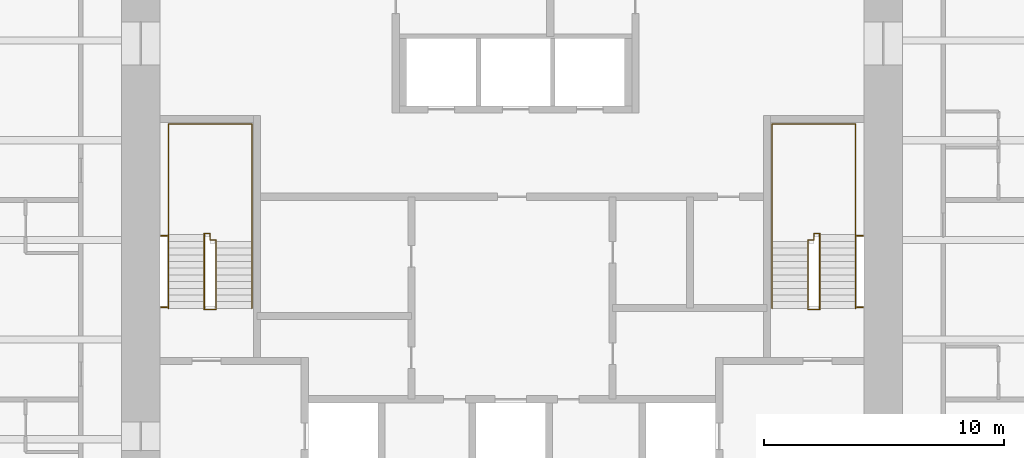
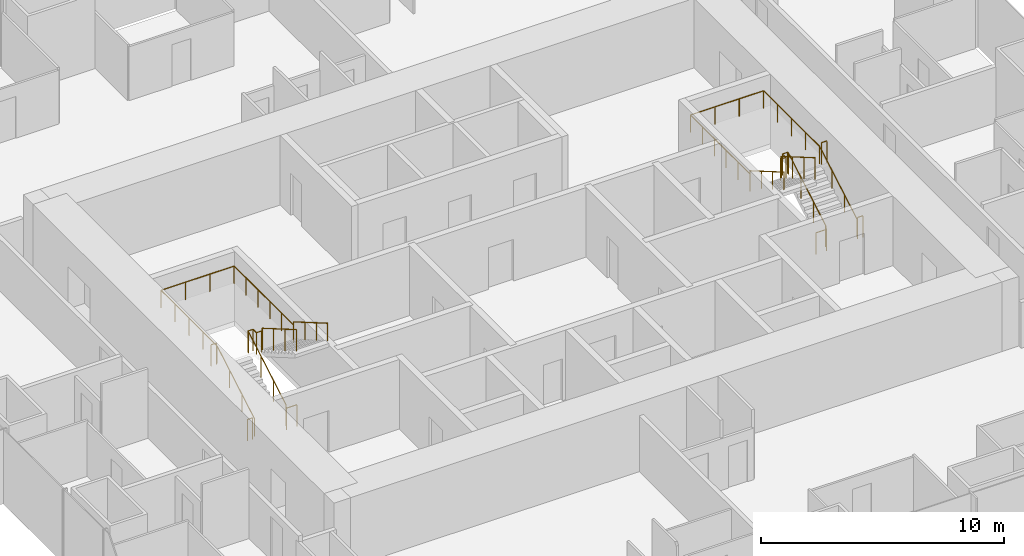
# One storey, part 13 of 13: 8 railings.
"""IFC4 building model written with IfcOpenShell, lengths in metres."""

from ifc_helpers import new_model, si_unit, direction, frame, origin, origin_2d, place, context, subcontext, project, spatial, circle, extrude, material, type_object, element, save


model = new_model("IFC4")

# Units and contexts
model_context = context("Model", 3, precision=1e-05, world=origin(), true_north=direction((0.0, 1.0)))
body_context = subcontext(model_context, "Body", "Model", "MODEL_VIEW")
ifc_project = project(units=[si_unit("LENGTHUNIT", "METRE"), si_unit("AREAUNIT", "SQUARE_METRE"), si_unit("VOLUMEUNIT", "CUBIC_METRE"), si_unit("PLANEANGLEUNIT", "RADIAN"), si_unit("MASSUNIT", "GRAM", prefix="KILO")], contexts=[model_context])

# Site, building, storey
site_placement = place(None, origin())
site = spatial("IfcSite", under=ifc_project, at=site_placement, CompositionType="ELEMENT")
building_placement = place(site_placement, origin())
building = spatial("IfcBuilding", under=site, at=building_placement, Name="Khuree Lantern Residences", CompositionType="ELEMENT")
storey_placement = place(building_placement, frame((0.0, 0.0, 270.75)))
storey = spatial("IfcBuildingStorey", under=building, at=storey_placement, Name="L68", CompositionType="ELEMENT", Elevation=270.75)

# Railings
ifc_material = material(Name="Steel S355", Category="steel")
railing_type_1 = type_object("IfcRailingType", Name="STAIR GUARD G1 1100", PredefinedType="GUARDRAIL", material=ifc_material)
railing_1_placement = place(storey_placement, frame((-12.35009765625, -2.909912109375, 0.0)))
element("IfcRailing", 1, at=railing_1_placement, inside=storey, type_object=railing_type_1, Name="Stair ST1 guard", PredefinedType="GUARDRAIL", context=body_context, shape_type="SweptSolid", body=[
    extrude(circle(Radius=0.02392578125, at=origin_2d()), frame((0.0, 0.0, 1.076171875), z_axis=(-1.0, 0.0, 0.0), x_axis=(0.0, -1.0, 0.0)), (0.0, 0.0, 1.0), 0.5),
    extrude(circle(Radius=0.02392578125, at=origin_2d()), frame((-0.5, 0.0, 1.076171875), z_axis=(0.0, 0.292073035251, 0.95639601739), x_axis=(-1.0, 0.0, 0.0)), (0.0, 0.0, 1.0), 0.17041015625),
    extrude(circle(Radius=0.02392578125, at=origin_2d()), frame((-0.5, 0.0498046875, 1.2392578125), z_axis=(0.0, 0.864176135923, 0.503189433615), x_axis=(-1.0, 0.0, 0.0)), (0.0, 0.0, 1.0), 3.564208984375),
    extrude(circle(Radius=0.02392578125, at=origin_2d()), frame((-0.5, 3.1298828125, 3.03271484375), z_axis=(0.0, 1.0, 0.0), x_axis=(-1.0, 0.0, 0.0)), (0.0, 0.0, 1.0), 0.050048828125),
    extrude(circle(Radius=0.02392578125, at=origin_2d()), frame((-0.5, 3.179931640625, 3.03271484375), z_axis=(1.0, 0.0, 0.0), x_axis=(0.0, 1.0, 0.0)), (0.0, 0.0, 1.0), 0.25),
    extrude(circle(Radius=0.02392578125, at=origin_2d()), frame((-0.25, 3.179931640625, 3.03271484375), z_axis=(0.0, -1.0, 0.0), x_axis=(1.0, 0.0, 0.0)), (0.0, 0.0, 1.0), 0.280029296875),
    extrude(circle(Radius=0.02392578125, at=origin_2d()), frame((-0.25, 2.89990234375, 3.03271484375), z_axis=(1.0, 0.0, 0.0), x_axis=(0.0, 1.0, 0.0)), (0.0, 0.0, 1.0), 0.25),
    extrude(circle(Radius=0.02392578125, at=origin_2d()), frame((0.0, 2.89990234375, 3.03271484375), z_axis=(0.0, -0.293381807449, 0.955995353053), x_axis=(1.0, 0.0, 0.0)), (0.0, 0.0, 1.0), 0.170654296875),
    extrude(circle(Radius=0.02392578125, at=origin_2d()), frame((0.0, 2.849853515625, 3.19580078125), z_axis=(0.0, -0.864180358799, 0.503182181189), x_axis=(1.0, 0.0, 0.0)), (0.0, 0.0, 1.0), 3.240234375),
    extrude(circle(Radius=0.02099609375, at=origin_2d()), origin(), (0.0, 0.0, 1.0), 1.052001953125),
    extrude(circle(Radius=0.02099609375, at=origin_2d()), frame((-0.5, 0.0, 0.0)), (0.0, 0.0, 1.0), 1.052001953125),
    extrude(circle(Radius=0.02099609375, at=origin_2d()), frame((-0.5, 0.0498046875, 0.1630859375)), (0.0, 0.0, 1.0), 1.052001953125),
    extrude(circle(Radius=0.02099609375, at=origin_2d()), frame((-0.5, 1.076416015625, 0.760986328125)), (0.0, 0.0, 1.0), 1.052001953125),
    extrude(circle(Radius=0.02099609375, at=origin_2d()), frame((-0.5, 2.103271484375, 1.358642578125)), (0.0, 0.0, 1.0), 1.052001953125),
    extrude(circle(Radius=0.02099609375, at=origin_2d()), frame((-0.5, 3.1298828125, 1.95654296875)), (0.0, 0.0, 1.0), 1.052001953125),
    extrude(circle(Radius=0.02099609375, at=origin_2d()), frame((-0.5, 3.179931640625, 1.95654296875)), (0.0, 0.0, 1.0), 1.052001953125),
    extrude(circle(Radius=0.02099609375, at=origin_2d()), frame((-0.25, 3.179931640625, 1.95654296875)), (0.0, 0.0, 1.0), 1.052001953125),
    extrude(circle(Radius=0.02099609375, at=origin_2d()), frame((-0.25, 2.89990234375, 1.95654296875)), (0.0, 0.0, 1.0), 1.052001953125),
    extrude(circle(Radius=0.02099609375, at=origin_2d()), frame((0.0, 2.89990234375, 1.95654296875)), (0.0, 0.0, 1.0), 1.052001953125),
    extrude(circle(Radius=0.02099609375, at=origin_2d()), frame((0.0, 2.849853515625, 2.11962890625)), (0.0, 0.0, 1.0), 1.052001953125),
    extrude(circle(Radius=0.02099609375, at=origin_2d()), frame((0.0, 1.91650390625, 2.6630859375)), (0.0, 0.0, 1.0), 1.052001953125),
    extrude(circle(Radius=0.02099609375, at=origin_2d()), frame((0.0, 0.983154296875, 3.20654296875)), (0.0, 0.0, 1.0), 1.052001953125),
    extrude(circle(Radius=0.02099609375, at=origin_2d()), frame((0.0, 0.0498046875, 3.75)), (0.0, 0.0, 1.0), 1.052001953125),
])
for number, where, name in (
    (2, (-14.64990234375, -2.81005859375, 0.0), "Stair ST1 landing slot guard"),
    (3, (-14.64990234375, 0.169921875, 1.95654296875), "Stair ST1 landing slot guard"),
):
    element("IfcRailing", number, at=place(storey_placement, frame(where)), inside=storey, type_object=railing_type_1, Name=name, PredefinedType="GUARDRAIL", context=body_context, shape_type="SweptSolid", body=[
        extrude(circle(Radius=0.02392578125, at=origin_2d()), frame((0.0, 0.0, 1.076171875), z_axis=(1.0, 0.0, 0.0), x_axis=(0.0, 1.0, 0.0)), (0.0, 0.0, 1.0), 0.25),
        extrude(circle(Radius=0.02099609375, at=origin_2d()), origin(), (0.0, 0.0, 1.0), 1.052001953125),
        extrude(circle(Radius=0.02099609375, at=origin_2d()), frame((0.25, 0.0, 0.0)), (0.0, 0.0, 1.0), 1.052001953125),
    ])
railing_2_placement = place(storey_placement, frame((12.35009765625, -2.909912109375, 0.0)))
element("IfcRailing", 4, at=railing_2_placement, inside=storey, type_object=railing_type_1, Name="Stair ST2 guard", PredefinedType="GUARDRAIL", context=body_context, shape_type="SweptSolid", body=[
    extrude(circle(Radius=0.02392578125, at=origin_2d()), frame((0.0, 0.0, 1.076171875), z_axis=(1.0, 0.0, 0.0), x_axis=(0.0, 1.0, 0.0)), (0.0, 0.0, 1.0), 0.5),
    extrude(circle(Radius=0.02392578125, at=origin_2d()), frame((0.5, 0.0, 1.076171875), z_axis=(0.0, 0.292073035251, 0.95639601739), x_axis=(-1.0, 0.0, 0.0)), (0.0, 0.0, 1.0), 0.17041015625),
    extrude(circle(Radius=0.02392578125, at=origin_2d()), frame((0.5, 0.0498046875, 1.2392578125), z_axis=(0.0, 0.864176135923, 0.503189433615), x_axis=(-1.0, 0.0, 0.0)), (0.0, 0.0, 1.0), 3.564208984375),
    extrude(circle(Radius=0.02392578125, at=origin_2d()), frame((0.5, 3.1298828125, 3.03271484375), z_axis=(0.0, 1.0, 0.0), x_axis=(-1.0, 0.0, 0.0)), (0.0, 0.0, 1.0), 0.050048828125),
    extrude(circle(Radius=0.02392578125, at=origin_2d()), frame((0.5, 3.179931640625, 3.03271484375), z_axis=(-1.0, 0.0, 0.0), x_axis=(0.0, -1.0, 0.0)), (0.0, 0.0, 1.0), 0.25),
    extrude(circle(Radius=0.02392578125, at=origin_2d()), frame((0.25, 3.179931640625, 3.03271484375), z_axis=(0.0, -1.0, 0.0), x_axis=(1.0, 0.0, 0.0)), (0.0, 0.0, 1.0), 0.280029296875),
    extrude(circle(Radius=0.02392578125, at=origin_2d()), frame((0.25, 2.89990234375, 3.03271484375), z_axis=(-1.0, 0.0, 0.0), x_axis=(0.0, -1.0, 0.0)), (0.0, 0.0, 1.0), 0.25),
    extrude(circle(Radius=0.02392578125, at=origin_2d()), frame((0.0, 2.89990234375, 3.03271484375), z_axis=(0.0, -0.293381807449, 0.955995353053), x_axis=(1.0, 0.0, 0.0)), (0.0, 0.0, 1.0), 0.170654296875),
    extrude(circle(Radius=0.02392578125, at=origin_2d()), frame((0.0, 2.849853515625, 3.19580078125), z_axis=(0.0, -0.864180358799, 0.503182181189), x_axis=(1.0, 0.0, 0.0)), (0.0, 0.0, 1.0), 3.240234375),
    extrude(circle(Radius=0.02099609375, at=origin_2d()), origin(), (0.0, 0.0, 1.0), 1.052001953125),
    extrude(circle(Radius=0.02099609375, at=origin_2d()), frame((0.5, 0.0, 0.0)), (0.0, 0.0, 1.0), 1.052001953125),
    extrude(circle(Radius=0.02099609375, at=origin_2d()), frame((0.5, 0.0498046875, 0.1630859375)), (0.0, 0.0, 1.0), 1.052001953125),
    extrude(circle(Radius=0.02099609375, at=origin_2d()), frame((0.5, 1.076416015625, 0.760986328125)), (0.0, 0.0, 1.0), 1.052001953125),
    extrude(circle(Radius=0.02099609375, at=origin_2d()), frame((0.5, 2.103271484375, 1.358642578125)), (0.0, 0.0, 1.0), 1.052001953125),
    extrude(circle(Radius=0.02099609375, at=origin_2d()), frame((0.5, 3.1298828125, 1.95654296875)), (0.0, 0.0, 1.0), 1.052001953125),
    extrude(circle(Radius=0.02099609375, at=origin_2d()), frame((0.5, 3.179931640625, 1.95654296875)), (0.0, 0.0, 1.0), 1.052001953125),
    extrude(circle(Radius=0.02099609375, at=origin_2d()), frame((0.25, 3.179931640625, 1.95654296875)), (0.0, 0.0, 1.0), 1.052001953125),
    extrude(circle(Radius=0.02099609375, at=origin_2d()), frame((0.25, 2.89990234375, 1.95654296875)), (0.0, 0.0, 1.0), 1.052001953125),
    extrude(circle(Radius=0.02099609375, at=origin_2d()), frame((0.0, 2.89990234375, 1.95654296875)), (0.0, 0.0, 1.0), 1.052001953125),
    extrude(circle(Radius=0.02099609375, at=origin_2d()), frame((0.0, 2.849853515625, 2.11962890625)), (0.0, 0.0, 1.0), 1.052001953125),
    extrude(circle(Radius=0.02099609375, at=origin_2d()), frame((0.0, 1.91650390625, 2.6630859375)), (0.0, 0.0, 1.0), 1.052001953125),
    extrude(circle(Radius=0.02099609375, at=origin_2d()), frame((0.0, 0.983154296875, 3.20654296875)), (0.0, 0.0, 1.0), 1.052001953125),
    extrude(circle(Radius=0.02099609375, at=origin_2d()), frame((0.0, 0.0498046875, 3.75)), (0.0, 0.0, 1.0), 1.052001953125),
])
for number, where, name in (
    (5, (14.64990234375, -2.81005859375, 0.0), "Stair ST2 landing slot guard"),
    (6, (14.64990234375, 0.169921875, 1.95654296875), "Stair ST2 landing slot guard"),
):
    element("IfcRailing", number, at=place(storey_placement, frame(where)), inside=storey, type_object=railing_type_1, Name=name, PredefinedType="GUARDRAIL", context=body_context, shape_type="SweptSolid", body=[
        extrude(circle(Radius=0.02392578125, at=origin_2d()), frame((0.0, 0.0, 1.076171875), z_axis=(-1.0, 0.0, 0.0), x_axis=(0.0, -1.0, 0.0)), (0.0, 0.0, 1.0), 0.25),
        extrude(circle(Radius=0.02099609375, at=origin_2d()), origin(), (0.0, 0.0, 1.0), 1.052001953125),
        extrude(circle(Radius=0.02099609375, at=origin_2d()), frame((-0.25, 0.0, 0.0)), (0.0, 0.0, 1.0), 1.052001953125),
    ])
railing_type_2 = type_object("IfcRailingType", Name="STAIR HANDRAIL H1 900", PredefinedType="HANDRAIL", material=ifc_material)
railing_3_placement = place(storey_placement, frame((-14.340087890625, -2.860107421875, 0.1630859375)))
element("IfcRailing", 7, at=railing_3_placement, inside=storey, type_object=railing_type_2, Name="Stair ST1 handrail", PredefinedType="HANDRAIL", context=body_context, shape_type="SweptSolid", body=[
    extrude(circle(Radius=0.02392578125, at=origin_2d()), frame((0.0, 0.0, 0.8759765625), z_axis=(0.0, 0.864176135923, 0.503189433615), x_axis=(-1.0, 0.0, 0.0)), (0.0, 0.0, 1.0), 3.564208984375),
    extrude(circle(Radius=0.02392578125, at=origin_2d()), frame((0.0, 3.080078125, 2.66943359375), z_axis=(0.0, 1.0, 0.0), x_axis=(-1.0, 0.0, 0.0)), (0.0, 0.0, 1.0), 4.6201171875),
    extrude(circle(Radius=0.02392578125, at=origin_2d()), frame((0.0, 7.7001953125, 2.66943359375), z_axis=(1.0, 0.0, 0.0), x_axis=(0.0, 1.0, 0.0)), (0.0, 0.0, 1.0), 3.47998046875),
    extrude(circle(Radius=0.02392578125, at=origin_2d()), frame((3.47998046875, 7.7001953125, 2.66943359375), z_axis=(0.0, -1.0, 0.0), x_axis=(1.0, 0.0, 0.0)), (0.0, 0.0, 1.0), 4.900146484375),
    extrude(circle(Radius=0.02392578125, at=origin_2d()), frame((3.47998046875, 2.800048828125, 2.66943359375), z_axis=(0.0, 0.0, 1.0), x_axis=(1.0, 0.0, 0.0)), (0.0, 0.0, 1.0), 0.1630859375),
    extrude(circle(Radius=0.02392578125, at=origin_2d()), frame((3.47998046875, 2.800048828125, 2.83251953125), z_axis=(0.0, -0.864180358799, 0.503182181189), x_axis=(1.0, 0.0, 0.0)), (0.0, 0.0, 1.0), 3.240234375),
    extrude(circle(Radius=0.02099609375, at=origin_2d()), origin(), (0.0, 0.0, 1.0), 0.851806640625),
    extrude(circle(Radius=0.02099609375, at=origin_2d()), frame((0.0, 1.026611328125, 0.597900390625)), (0.0, 0.0, 1.0), 0.851806640625),
    extrude(circle(Radius=0.02099609375, at=origin_2d()), frame((0.0, 2.053466796875, 1.195556640625)), (0.0, 0.0, 1.0), 0.851806640625),
    extrude(circle(Radius=0.02099609375, at=origin_2d()), frame((0.0, 3.080078125, 1.79345703125)), (0.0, 0.0, 1.0), 0.851806640625),
    extrude(circle(Radius=0.02099609375, at=origin_2d()), frame((0.0, 4.235107421875, 1.79345703125)), (0.0, 0.0, 1.0), 0.851806640625),
    extrude(circle(Radius=0.02099609375, at=origin_2d()), frame((0.0, 5.39013671875, 1.79345703125)), (0.0, 0.0, 1.0), 0.851806640625),
    extrude(circle(Radius=0.02099609375, at=origin_2d()), frame((0.0, 6.545166015625, 1.79345703125)), (0.0, 0.0, 1.0), 0.851806640625),
    extrude(circle(Radius=0.02099609375, at=origin_2d()), frame((0.0, 7.7001953125, 1.79345703125)), (0.0, 0.0, 1.0), 0.851806640625),
    extrude(circle(Radius=0.02099609375, at=origin_2d()), frame((1.159912109375, 7.7001953125, 1.79345703125)), (0.0, 0.0, 1.0), 0.851806640625),
    extrude(circle(Radius=0.02099609375, at=origin_2d()), frame((2.320068359375, 7.7001953125, 1.79345703125)), (0.0, 0.0, 1.0), 0.851806640625),
    extrude(circle(Radius=0.02099609375, at=origin_2d()), frame((3.47998046875, 7.7001953125, 1.79345703125)), (0.0, 0.0, 1.0), 0.851806640625),
    extrude(circle(Radius=0.02099609375, at=origin_2d()), frame((3.47998046875, 6.72021484375, 1.79345703125)), (0.0, 0.0, 1.0), 0.851806640625),
    extrude(circle(Radius=0.02099609375, at=origin_2d()), frame((3.47998046875, 5.740234375, 1.79345703125)), (0.0, 0.0, 1.0), 0.851806640625),
    extrude(circle(Radius=0.02099609375, at=origin_2d()), frame((3.47998046875, 4.760009765625, 1.79345703125)), (0.0, 0.0, 1.0), 0.851806640625),
    extrude(circle(Radius=0.02099609375, at=origin_2d()), frame((3.47998046875, 3.780029296875, 1.79345703125)), (0.0, 0.0, 1.0), 0.851806640625),
    extrude(circle(Radius=0.02099609375, at=origin_2d()), frame((3.47998046875, 2.800048828125, 1.79345703125)), (0.0, 0.0, 1.0), 0.851806640625),
    extrude(circle(Radius=0.02099609375, at=origin_2d()), frame((3.47998046875, 2.800048828125, 1.95654296875)), (0.0, 0.0, 1.0), 0.851806640625),
    extrude(circle(Radius=0.02099609375, at=origin_2d()), frame((3.47998046875, 1.86669921875, 2.5)), (0.0, 0.0, 1.0), 0.851806640625),
    extrude(circle(Radius=0.02099609375, at=origin_2d()), frame((3.47998046875, 0.933349609375, 3.04345703125)), (0.0, 0.0, 1.0), 0.851806640625),
    extrude(circle(Radius=0.02099609375, at=origin_2d()), frame((3.47998046875, 0.0, 3.5869140625)), (0.0, 0.0, 1.0), 0.851806640625),
])
railing_4_placement = place(storey_placement, frame((14.340087890625, -2.860107421875, 0.1630859375)))
element("IfcRailing", 8, at=railing_4_placement, inside=storey, type_object=railing_type_2, Name="Stair ST2 handrail", PredefinedType="HANDRAIL", context=body_context, shape_type="SweptSolid", body=[
    extrude(circle(Radius=0.02392578125, at=origin_2d()), frame((0.0, 0.0, 0.8759765625), z_axis=(0.0, 0.864176135923, 0.503189433615), x_axis=(-1.0, 0.0, 0.0)), (0.0, 0.0, 1.0), 3.564208984375),
    extrude(circle(Radius=0.02392578125, at=origin_2d()), frame((0.0, 3.080078125, 2.66943359375), z_axis=(0.0, 1.0, 0.0), x_axis=(-1.0, 0.0, 0.0)), (0.0, 0.0, 1.0), 4.6201171875),
    extrude(circle(Radius=0.02392578125, at=origin_2d()), frame((0.0, 7.7001953125, 2.66943359375), z_axis=(-1.0, 0.0, 0.0), x_axis=(0.0, -1.0, 0.0)), (0.0, 0.0, 1.0), 3.47998046875),
    extrude(circle(Radius=0.02392578125, at=origin_2d()), frame((-3.47998046875, 7.7001953125, 2.66943359375), z_axis=(0.0, -1.0, 0.0), x_axis=(1.0, 0.0, 0.0)), (0.0, 0.0, 1.0), 4.900146484375),
    extrude(circle(Radius=0.02392578125, at=origin_2d()), frame((-3.47998046875, 2.800048828125, 2.66943359375), z_axis=(0.0, 0.0, 1.0), x_axis=(1.0, 0.0, 0.0)), (0.0, 0.0, 1.0), 0.1630859375),
    extrude(circle(Radius=0.02392578125, at=origin_2d()), frame((-3.47998046875, 2.800048828125, 2.83251953125), z_axis=(0.0, -0.864180358799, 0.503182181189), x_axis=(1.0, 0.0, 0.0)), (0.0, 0.0, 1.0), 3.240234375),
    extrude(circle(Radius=0.02099609375, at=origin_2d()), origin(), (0.0, 0.0, 1.0), 0.851806640625),
    extrude(circle(Radius=0.02099609375, at=origin_2d()), frame((0.0, 1.026611328125, 0.597900390625)), (0.0, 0.0, 1.0), 0.851806640625),
    extrude(circle(Radius=0.02099609375, at=origin_2d()), frame((0.0, 2.053466796875, 1.195556640625)), (0.0, 0.0, 1.0), 0.851806640625),
    extrude(circle(Radius=0.02099609375, at=origin_2d()), frame((0.0, 3.080078125, 1.79345703125)), (0.0, 0.0, 1.0), 0.851806640625),
    extrude(circle(Radius=0.02099609375, at=origin_2d()), frame((0.0, 4.235107421875, 1.79345703125)), (0.0, 0.0, 1.0), 0.851806640625),
    extrude(circle(Radius=0.02099609375, at=origin_2d()), frame((0.0, 5.39013671875, 1.79345703125)), (0.0, 0.0, 1.0), 0.851806640625),
    extrude(circle(Radius=0.02099609375, at=origin_2d()), frame((0.0, 6.545166015625, 1.79345703125)), (0.0, 0.0, 1.0), 0.851806640625),
    extrude(circle(Radius=0.02099609375, at=origin_2d()), frame((0.0, 7.7001953125, 1.79345703125)), (0.0, 0.0, 1.0), 0.851806640625),
    extrude(circle(Radius=0.02099609375, at=origin_2d()), frame((-1.159912109375, 7.7001953125, 1.79345703125)), (0.0, 0.0, 1.0), 0.851806640625),
    extrude(circle(Radius=0.02099609375, at=origin_2d()), frame((-2.320068359375, 7.7001953125, 1.79345703125)), (0.0, 0.0, 1.0), 0.851806640625),
    extrude(circle(Radius=0.02099609375, at=origin_2d()), frame((-3.47998046875, 7.7001953125, 1.79345703125)), (0.0, 0.0, 1.0), 0.851806640625),
    extrude(circle(Radius=0.02099609375, at=origin_2d()), frame((-3.47998046875, 6.72021484375, 1.79345703125)), (0.0, 0.0, 1.0), 0.851806640625),
    extrude(circle(Radius=0.02099609375, at=origin_2d()), frame((-3.47998046875, 5.740234375, 1.79345703125)), (0.0, 0.0, 1.0), 0.851806640625),
    extrude(circle(Radius=0.02099609375, at=origin_2d()), frame((-3.47998046875, 4.760009765625, 1.79345703125)), (0.0, 0.0, 1.0), 0.851806640625),
    extrude(circle(Radius=0.02099609375, at=origin_2d()), frame((-3.47998046875, 3.780029296875, 1.79345703125)), (0.0, 0.0, 1.0), 0.851806640625),
    extrude(circle(Radius=0.02099609375, at=origin_2d()), frame((-3.47998046875, 2.800048828125, 1.79345703125)), (0.0, 0.0, 1.0), 0.851806640625),
    extrude(circle(Radius=0.02099609375, at=origin_2d()), frame((-3.47998046875, 2.800048828125, 1.95654296875)), (0.0, 0.0, 1.0), 0.851806640625),
    extrude(circle(Radius=0.02099609375, at=origin_2d()), frame((-3.47998046875, 1.86669921875, 2.5)), (0.0, 0.0, 1.0), 0.851806640625),
    extrude(circle(Radius=0.02099609375, at=origin_2d()), frame((-3.47998046875, 0.933349609375, 3.04345703125)), (0.0, 0.0, 1.0), 0.851806640625),
    extrude(circle(Radius=0.02099609375, at=origin_2d()), frame((-3.47998046875, 0.0, 3.5869140625)), (0.0, 0.0, 1.0), 0.851806640625),
])

save(model, "model.ifc")
